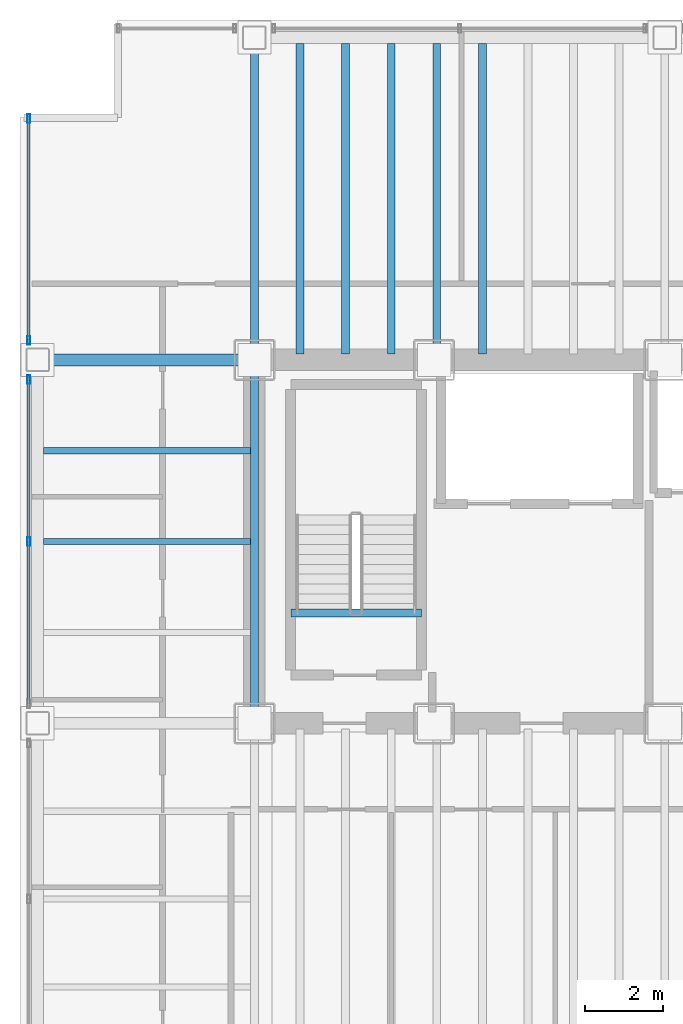
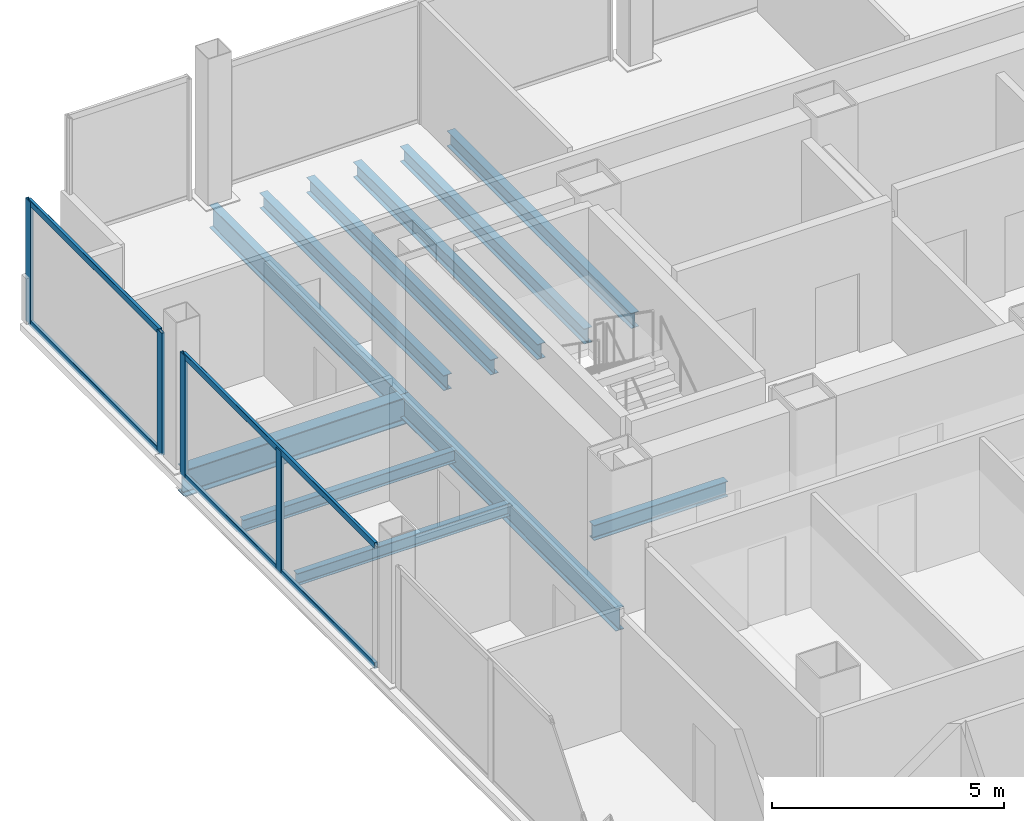
# One storey, part 6 of 20: 11 beams, 8 members, 2 elements without a shape of their own.
"""IFC4 building model written with IfcOpenShell, lengths in metres."""

from ifc_helpers import new_model, si_unit, direction, frame, origin, origin_2d, place, context, subcontext, project, spatial, hollow_rectangle, i_section, extrude, material, material_profile, profile_set, type_object, element, aggregate, save


model = new_model("IFC4")

# Units and contexts
model_context = context("Model", 3, precision=1e-05, world=origin(), true_north=direction((0.0, 1.0)))
body_context = subcontext(model_context, "Body", "Model", "MODEL_VIEW")
ifc_project = project(units=[si_unit("LENGTHUNIT", "METRE"), si_unit("AREAUNIT", "SQUARE_METRE"), si_unit("VOLUMEUNIT", "CUBIC_METRE"), si_unit("PLANEANGLEUNIT", "RADIAN"), si_unit("MASSUNIT", "GRAM", prefix="KILO")], contexts=[model_context])

# Site, building, storey
site_placement = place(None, origin())
site = spatial("IfcSite", under=ifc_project, at=site_placement, CompositionType="ELEMENT")
building_placement = place(site_placement, origin())
building = spatial("IfcBuilding", under=site, at=building_placement, Name="Noeulbin Bourse Tower", CompositionType="ELEMENT")
storey_placement = place(building_placement, frame((0.0, 0.0, 61.60009765625)))
storey = spatial("IfcBuildingStorey", under=building, at=storey_placement, Name="L15", CompositionType="ELEMENT", Elevation=61.60009765625)

# Beams
ifc_material_1 = material(Name="Steel S355", Category="steel")
ifc_material_profile_1 = material_profile(ifc_material_1, i_section(OverallWidth=0.199951171875, OverallDepth=0.60009765625, WebThickness=0.010986328125, FlangeThickness=0.01708984375, FilletRadius=0.02197265625, at=origin_2d()), Name="H-600x200x11x17", Category="LoadBearing")
ifc_profile_set_1 = profile_set([ifc_material_profile_1], Name="Steel S355")
beam_type_1 = type_object("IfcBeamType", Name="BM-GRD-600", PredefinedType="USERDEFINED", material=ifc_profile_set_1)
beam_1_placement = place(storey_placement, frame((13.5, 29.0, -0.47998046875), z_axis=(0.0, 1.0, 0.0), x_axis=(-1.0, 0.0, 0.0)))
element("IfcBeam", 1, at=beam_1_placement, inside=storey, type_object=beam_type_1, Name="Tower Primary Girder NS L15-1.3", ObjectType="GIRDER", PredefinedType="USERDEFINED", context=body_context, shape_type="SweptSolid", body=[
    extrude(i_section(OverallWidth=0.199951171875, OverallDepth=0.60009765625, WebThickness=0.010986328125, FlangeThickness=0.01708984375, FilletRadius=0.02197265625, at=origin_2d()), origin(), (0.0, 0.0, 1.0), 9.300048828125),
])
beam_2_placement = place(storey_placement, frame((13.5, 38.300048828125, -0.47998046875), z_axis=(0.0, 1.0, 0.0), x_axis=(-1.0, 0.0, 0.0)))
element("IfcBeam", 2, at=beam_2_placement, inside=storey, type_object=beam_type_1, Name="Tower Primary Girder NS L15-1.4", ObjectType="GIRDER", PredefinedType="USERDEFINED", context=body_context, shape_type="SweptSolid", body=[
    extrude(i_section(OverallWidth=0.199951171875, OverallDepth=0.60009765625, WebThickness=0.010986328125, FlangeThickness=0.01708984375, FilletRadius=0.02197265625, at=origin_2d()), origin(), (0.0, 0.0, 1.0), 8.25),
])
ifc_material_profile_2 = material_profile(ifc_material_1, i_section(OverallWidth=0.300048828125, OverallDepth=0.699951171875, WebThickness=0.012939453125, FlangeThickness=0.02392578125, FilletRadius=0.02392578125, at=origin_2d()), Name="H-700x300x13x24", Category="LoadBearing")
ifc_profile_set_2 = profile_set([ifc_material_profile_2], Name="Steel S355")
beam_type_2 = type_object("IfcBeamType", Name="BM-GRD-700", PredefinedType="USERDEFINED", material=ifc_profile_set_2)
beam_3_placement = place(storey_placement, frame((7.949951171875, 38.300048828125, -0.530029296875), z_axis=(1.0, 0.0, 0.0), x_axis=(0.0, 1.0, 0.0)))
element("IfcBeam", 3, at=beam_3_placement, inside=storey, type_object=beam_type_2, Name="Tower Primary Girder EW L15-3.1", ObjectType="GIRDER", PredefinedType="USERDEFINED", context=body_context, shape_type="SweptSolid", body=[
    extrude(i_section(OverallWidth=0.300048828125, OverallDepth=0.699951171875, WebThickness=0.012939453125, FlangeThickness=0.02392578125, FilletRadius=0.02392578125, at=origin_2d()), origin(), (0.0, 0.0, 1.0), 5.550048828125),
])
ifc_material_profile_3 = material_profile(ifc_material_1, i_section(OverallWidth=0.159912109375, OverallDepth=0.320068359375, WebThickness=0.006591796875, FlangeThickness=0.010009765625, FilletRadius=0.012939453125, at=origin_2d()), Name="H-320x160x6.5x10", Category="LoadBearing")
ifc_profile_set_3 = profile_set([ifc_material_profile_3], Name="Steel S355")
beam_type_3 = type_object("IfcBeamType", Name="BM-JST-320", PredefinedType="JOIST", material=ifc_profile_set_3)
for number, where, z_axis, x_axis, name in (
    (4, (8.10009765625, 33.64990234375, -0.340087890625), (1.0, 0.0, 0.0), (0.0, 1.0, 0.0), "Wing Composite Joist L15-W74"),
    (5, (8.10009765625, 35.97509765625, -0.340087890625), (1.0, 0.0, 0.0), (0.0, 1.0, 0.0), "Wing Composite Joist L15-W75"),
):
    element("IfcBeam", number, at=place(storey_placement, frame(where, z_axis=z_axis, x_axis=x_axis)), inside=storey, type_object=beam_type_3, Name=name, PredefinedType="JOIST", context=body_context, shape_type="SweptSolid", body=[
        extrude(i_section(OverallWidth=0.159912109375, OverallDepth=0.320068359375, WebThickness=0.006591796875, FlangeThickness=0.010009765625, FilletRadius=0.012939453125, at=origin_2d()), origin(), (0.0, 0.0, 1.0), 5.2998046875),
    ])
ifc_material_profile_4 = material_profile(ifc_material_1, i_section(OverallWidth=0.199951171875, OverallDepth=0.39990234375, WebThickness=0.008056640625, FlangeThickness=0.012939453125, FilletRadius=0.01611328125, at=origin_2d()), Name="H-400x200x8x13", Category="LoadBearing")
ifc_profile_set_4 = profile_set([ifc_material_profile_4], Name="Steel S355")
beam_type_4 = type_object("IfcBeamType", Name="BM-SEC-400", PredefinedType="BEAM", material=ifc_profile_set_4)
for number, where, z_axis, x_axis, name in (
    (6, (14.666748046875, 38.449951171875, -0.380126953125), (0.0, 1.0, 0.0), (-1.0, 0.0, 0.0), "Tower Composite Joist L15-03"),
    (7, (15.833251953125, 38.449951171875, -0.380126953125), (0.0, 1.0, 0.0), (-1.0, 0.0, 0.0), "Tower Composite Joist L15-06"),
    (8, (17.0, 38.449951171875, -0.380126953125), (0.0, 1.0, 0.0), (-1.0, 0.0, 0.0), "Tower Composite Joist L15-09"),
    (9, (18.166748046875, 38.449951171875, -0.380126953125), (0.0, 1.0, 0.0), (-1.0, 0.0, 0.0), "Tower Composite Joist L15-12"),
    (10, (19.333251953125, 38.449951171875, -0.380126953125), (0.0, 1.0, 0.0), (-1.0, 0.0, 0.0), "Tower Composite Joist L15-15"),
):
    element("IfcBeam", number, at=place(storey_placement, frame(where, z_axis=z_axis, x_axis=x_axis)), inside=storey, type_object=beam_type_4, Name=name, PredefinedType="BEAM", context=body_context, shape_type="SweptSolid", body=[
        extrude(i_section(OverallWidth=0.199951171875, OverallDepth=0.39990234375, WebThickness=0.008056640625, FlangeThickness=0.012939453125, FilletRadius=0.01611328125, at=origin_2d()), origin(), (0.0, 0.0, 1.0), 7.949951171875),
    ])
beam_4_placement = place(storey_placement, frame((14.429931640625, 31.820068359375, -0.2001953125), z_axis=(1.0, 0.0, 0.0), x_axis=(0.0, 1.0, 0.0)))
element("IfcBeam", 11, at=beam_4_placement, inside=storey, type_object=beam_type_4, Name="Stair Threshold Trimmer Beam ST1-L15", PredefinedType="BEAM", context=body_context, shape_type="SweptSolid", body=[
    extrude(i_section(OverallWidth=0.199951171875, OverallDepth=0.39990234375, WebThickness=0.008056640625, FlangeThickness=0.012939453125, FilletRadius=0.01611328125, at=origin_2d()), origin(), (0.0, 0.0, 1.0), 3.340087890625),
])

# Curtain wall, members
ifc_material_2 = material(Name="Dark Solar-Control Double Glazing", Category="glass")
curtain_wall_type = type_object("IfcCurtainWallType", Name="CW-SYS-2", PredefinedType="NOTDEFINED", material=ifc_material_2)
curtain_wall_1_placement = place(storey_placement, origin())
curtain_wall_1 = element("IfcCurtainWall", 12, at=curtain_wall_1_placement, inside=storey, type_object=curtain_wall_type, Name="Unitised Curtain Wall CW-L15-W-S3", PredefinedType="NOTDEFINED")
ifc_material_3 = material(Name="Anodised Aluminium 6063-T6", Category="aluminium")
ifc_material_profile_5 = material_profile(ifc_material_3, hollow_rectangle(XDim=0.074951171875, YDim=0.219970703125, WallThickness=0.0048828125, InnerFilletRadius=0.00244140625, OuterFilletRadius=0.0048828125, at=origin_2d()), Name="ALU-MULL-75x220x5", Category="LoadBearing")
ifc_profile_set_5 = profile_set([ifc_material_profile_5], Name="Anodised Aluminium 6063-T6")
member_type_1 = type_object("IfcMemberType", Name="CW-SYS-2-MUL", PredefinedType="MULLION", material=ifc_profile_set_5)
member_1_placement = place(storey_placement, frame((7.719970703125, 33.64990234375, -0.02001953125), z_axis=(0.0, 0.0, 1.0), x_axis=(1.0, 0.0, 0.0)))
member_1 = element("IfcMember", 13, at=member_1_placement, type_object=member_type_1, Name="Curtain Wall Mullion CW-L15-W-S3-M01", PredefinedType="MULLION", context=body_context, shape_type="SweptSolid", body=[
    extrude(hollow_rectangle(XDim=0.074951171875, YDim=0.219970703125, WallThickness=0.0048828125, InnerFilletRadius=0.00244140625, OuterFilletRadius=0.0048828125, at=origin_2d()), origin(), (0.0, 0.0, 1.0), 3.219970703125),
])
member_2_placement = place(storey_placement, frame((7.719970703125, 37.800048828125, -0.02001953125), z_axis=(0.0, 0.0, 1.0), x_axis=(1.0, 0.0, 0.0)))
member_2 = element("IfcMember", 14, at=member_2_placement, type_object=member_type_1, Name="Curtain Wall Mullion CW-L15-W-S3-M02", PredefinedType="MULLION", context=body_context, shape_type="SweptSolid", body=[
    extrude(hollow_rectangle(XDim=0.074951171875, YDim=0.219970703125, WallThickness=0.0048828125, InnerFilletRadius=0.00244140625, OuterFilletRadius=0.0048828125, at=origin_2d()), origin(), (0.0, 0.0, 1.0), 3.219970703125),
])

curtain_wall_2_placement = place(storey_placement, origin())
curtain_wall_2 = element("IfcCurtainWall", 15, at=curtain_wall_2_placement, inside=storey, type_object=curtain_wall_type, Name="Unitised Curtain Wall CW-L15-W-S4", PredefinedType="NOTDEFINED")
member_3_placement = place(storey_placement, frame((7.719970703125, 38.800048828125, -0.02001953125), z_axis=(0.0, 0.0, 1.0), x_axis=(1.0, 0.0, 0.0)))
member_3 = element("IfcMember", 16, at=member_3_placement, type_object=member_type_1, Name="Curtain Wall Mullion CW-L15-W-S4-M00", PredefinedType="MULLION", context=body_context, shape_type="SweptSolid", body=[
    extrude(hollow_rectangle(XDim=0.074951171875, YDim=0.219970703125, WallThickness=0.0048828125, InnerFilletRadius=0.00244140625, OuterFilletRadius=0.0048828125, at=origin_2d()), origin(), (0.0, 0.0, 1.0), 3.219970703125),
])
member_4_placement = place(storey_placement, frame((7.719970703125, 44.47998046875, -0.02001953125), z_axis=(0.0, 0.0, 1.0), x_axis=(1.0, 0.0, 0.0)))
member_4 = element("IfcMember", 17, at=member_4_placement, type_object=member_type_1, Name="Curtain Wall Mullion CW-L15-W-S4-M01", PredefinedType="MULLION", context=body_context, shape_type="SweptSolid", body=[
    extrude(hollow_rectangle(XDim=0.074951171875, YDim=0.219970703125, WallThickness=0.0048828125, InnerFilletRadius=0.00244140625, OuterFilletRadius=0.0048828125, at=origin_2d()), origin(), (0.0, 0.0, 1.0), 3.219970703125),
])

# Member
ifc_material_profile_6 = material_profile(ifc_material_3, hollow_rectangle(XDim=0.074951171875, YDim=0.159912109375, WallThickness=0.0048828125, InnerFilletRadius=0.00244140625, OuterFilletRadius=0.0048828125, at=origin_2d()), Name="ALU-TRAN-75x160x5", Category="LoadBearing")
ifc_profile_set_6 = profile_set([ifc_material_profile_6], Name="Anodised Aluminium 6063-T6")
member_type_2 = type_object("IfcMemberType", Name="CW-SYS-2-TRN", PredefinedType="USERDEFINED", material=ifc_profile_set_6)
member_5_placement = place(storey_placement, frame((7.719970703125, 29.510009765625, 0.010009765625), z_axis=(0.0, 1.0, 0.0), x_axis=(-1.0, 0.0, 0.0)))
member_5 = element("IfcMember", 18, at=member_5_placement, type_object=member_type_2, Name="Curtain Wall Transom CW-L15-W-S3-T00", ObjectType="TRANSOM", PredefinedType="USERDEFINED", context=body_context, shape_type="SweptSolid", body=[
    extrude(hollow_rectangle(XDim=0.074951171875, YDim=0.159912109375, WallThickness=0.0048828125, InnerFilletRadius=0.00244140625, OuterFilletRadius=0.0048828125, at=origin_2d()), origin(), (0.0, 0.0, 1.0), 8.280029296875),
])

member_6_placement = place(storey_placement, frame((7.719970703125, 29.510009765625, 3.169921875), z_axis=(0.0, 1.0, 0.0), x_axis=(-1.0, 0.0, 0.0)))
member_6 = element("IfcMember", 19, at=member_6_placement, type_object=member_type_2, Name="Curtain Wall Transom CW-L15-W-S3-T01", ObjectType="TRANSOM", PredefinedType="USERDEFINED", context=body_context, shape_type="SweptSolid", body=[
    extrude(hollow_rectangle(XDim=0.074951171875, YDim=0.159912109375, WallThickness=0.0048828125, InnerFilletRadius=0.00244140625, OuterFilletRadius=0.0048828125, at=origin_2d()), origin(), (0.0, 0.0, 1.0), 8.280029296875),
])

aggregate(curtain_wall_1, [member_1, member_2, member_5, member_6])

member_7_placement = place(storey_placement, frame((7.719970703125, 38.81005859375, 0.010009765625), z_axis=(0.0, 1.0, 0.0), x_axis=(-1.0, 0.0, 0.0)))
member_7 = element("IfcMember", 20, at=member_7_placement, type_object=member_type_2, Name="Curtain Wall Transom CW-L15-W-S4-T00", ObjectType="TRANSOM", PredefinedType="USERDEFINED", context=body_context, shape_type="SweptSolid", body=[
    extrude(hollow_rectangle(XDim=0.074951171875, YDim=0.159912109375, WallThickness=0.0048828125, InnerFilletRadius=0.00244140625, OuterFilletRadius=0.0048828125, at=origin_2d()), origin(), (0.0, 0.0, 1.0), 5.659912109375),
])

member_8_placement = place(storey_placement, frame((7.719970703125, 38.81005859375, 3.169921875), z_axis=(0.0, 1.0, 0.0), x_axis=(-1.0, 0.0, 0.0)))
member_8 = element("IfcMember", 21, at=member_8_placement, type_object=member_type_2, Name="Curtain Wall Transom CW-L15-W-S4-T01", ObjectType="TRANSOM", PredefinedType="USERDEFINED", context=body_context, shape_type="SweptSolid", body=[
    extrude(hollow_rectangle(XDim=0.074951171875, YDim=0.159912109375, WallThickness=0.0048828125, InnerFilletRadius=0.00244140625, OuterFilletRadius=0.0048828125, at=origin_2d()), origin(), (0.0, 0.0, 1.0), 5.659912109375),
])

aggregate(curtain_wall_2, [member_3, member_4, member_7, member_8])

save(model, "model.ifc")
